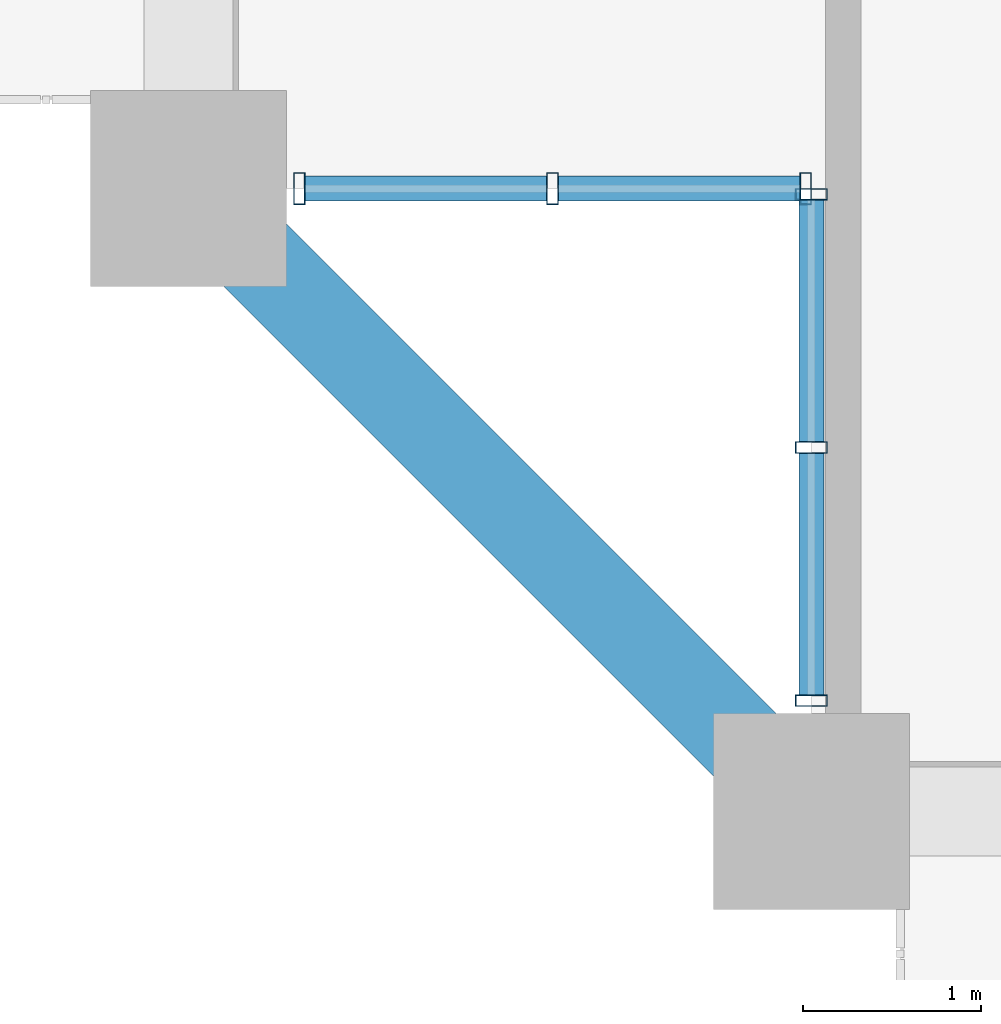
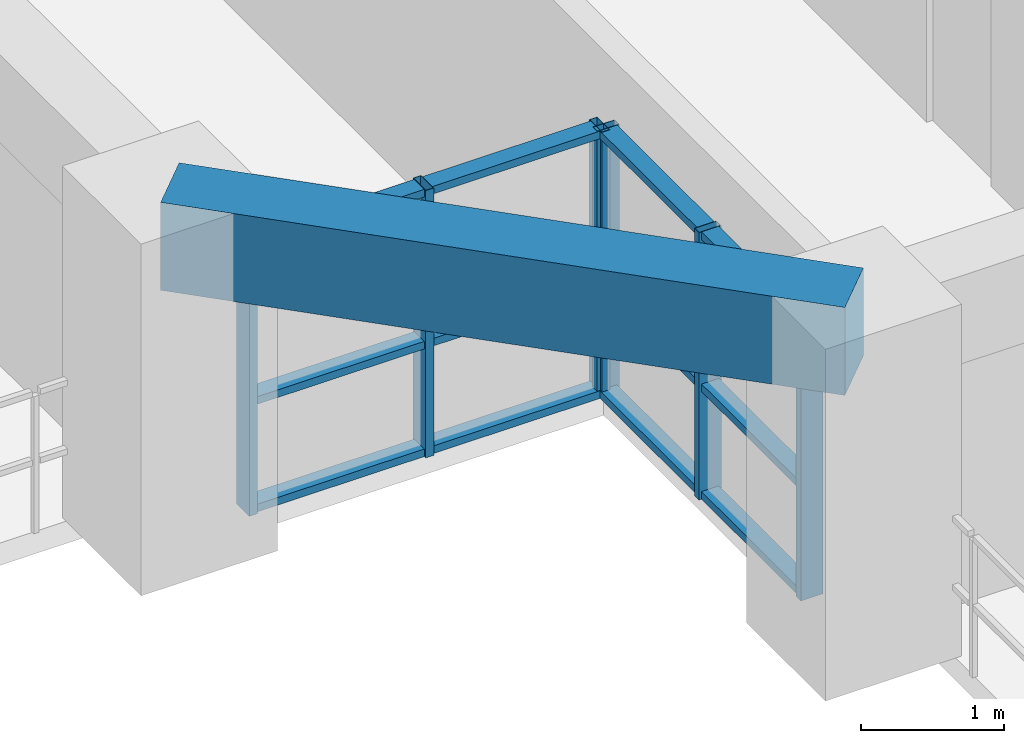
# One storey, part 2 of 28: 18 members, 1 beam, 2 elements without a shape of their own.
"""IFC4 building model written with IfcOpenShell, lengths in metres."""

from ifc_helpers import new_model, si_unit, direction, frame, origin, origin_2d, place, context, subcontext, project, spatial, rectangle, hollow_rectangle, extrude, source, transform, mapped, material, layer, layer_set, material_profile, profile_set, type_object, element, aggregate, save


model = new_model("IFC4")

# Units and contexts
model_context = context("Model", 3, precision=1e-05, world=origin(), true_north=direction((0.0, 1.0)))
body_context = subcontext(model_context, "Body", "Model", "MODEL_VIEW")
ifc_project = project(units=[si_unit("LENGTHUNIT", "METRE"), si_unit("AREAUNIT", "SQUARE_METRE"), si_unit("VOLUMEUNIT", "CUBIC_METRE"), si_unit("PLANEANGLEUNIT", "RADIAN"), si_unit("MASSUNIT", "GRAM", prefix="KILO")], contexts=[model_context])

# Site, building, storey
site_placement = place(None, origin())
site = spatial("IfcSite", under=ifc_project, at=site_placement, CompositionType="ELEMENT")
building_placement = place(site_placement, origin())
building = spatial("IfcBuilding", under=site, at=building_placement, Name="Saelheon Loggia Tower", CompositionType="ELEMENT")
storey_placement = place(building_placement, frame((0.0, 0.0, 61.39990234375)))
storey = spatial("IfcBuildingStorey", under=building, at=storey_placement, Name="L19", CompositionType="ELEMENT", Elevation=61.39990234375)

# Beam
ifc_material_1 = material(Name="Concrete C45/55", Category="concrete")
ifc_material_profile_1 = material_profile(ifc_material_1, rectangle(XDim=0.5, YDim=0.75, at=origin_2d()), Name="RC-500x750")
ifc_profile_set_1 = profile_set([ifc_material_profile_1], Name="Concrete C45/55")
beam_type = type_object("IfcBeamType", Name="Beam_PerimGirder_RC500x750", PredefinedType="BEAM", material=ifc_profile_set_1)
shared_shape_1 = source(origin(), body_context, "Body", "SweptSolid", [
    extrude(rectangle(XDim=0.5, YDim=0.75, at=origin_2d()), origin(), (0.0, 0.0, 1.0), 4.94970703125),
])
beam_placement = place(storey_placement, frame((12.0, 6.5, 2.625), z_axis=(0.707106781187, -0.707106781187, 0.0), x_axis=(0.707106781187, 0.707106781187, 0.0)))
element("IfcBeam", 1, at=beam_placement, inside=storey, type_object=beam_type, Name="L19 Perimeter Frame Girder 16", PredefinedType="BEAM", context=body_context, shape_type="MappedRepresentation", body=[
    mapped(shared_shape_1, transform((0.0, 0.0, 0.0), scale=1.0)),
])

# Curtain wall, members
ifc_material_2 = material(Name="Thermal-Break Aluminium and Triple Low-E Glass", Category="aluminium")
ifc_layer = layer(ifc_material_2, 0.159912109375)
ifc_layer_set = layer_set([ifc_layer], Name="Thermal-Break Aluminium and Triple Low-E Glass")
curtain_wall_type = type_object("IfcCurtainWallType", Name="CW_TowerLoggiaLow", PredefinedType="NOTDEFINED", material=ifc_layer_set)
curtain_wall_1_placement = place(storey_placement, origin())
curtain_wall_1 = element("IfcCurtainWall", 2, at=curtain_wall_1_placement, inside=storey, type_object=curtain_wall_type, Name="L19 Corner Notch Glazing SW1", PredefinedType="NOTDEFINED")
ifc_material_3 = material(Name="Anodised Aluminium 6063-T6", Category="aluminium")
ifc_material_profile_2 = material_profile(ifc_material_3, hollow_rectangle(XDim=0.06494140625, YDim=0.179931640625, WallThickness=0.00390625, at=origin_2d()), Name="RHS-180x65x4")
ifc_profile_set_2 = profile_set([ifc_material_profile_2], Name="Anodised Aluminium 6063-T6")
member_type_1 = type_object("IfcMemberType", Name="CW_TowerLoggiaLow_Mullion", PredefinedType="MULLION", material=ifc_profile_set_2)
shared_shape_2 = source(origin(), body_context, "Body", "SweptSolid", [
    extrude(hollow_rectangle(XDim=0.06494140625, YDim=0.179931640625, WallThickness=0.00390625, at=origin_2d()), origin(), (0.0, 0.0, 1.0), 2.280029296875),
])
member_1_placement = place(storey_placement, frame((15.5, 3.62255859375, 0.0), z_axis=(0.0, 0.0, 1.0), x_axis=(0.0, 1.0, 0.0)))
member_1 = element("IfcMember", 3, at=member_1_placement, type_object=member_type_1, Name="CW3 mullion 1", PredefinedType="MULLION", context=body_context, shape_type="MappedRepresentation", body=[
    mapped(shared_shape_2, transform((0.0, 0.0, 0.0), scale=1.0)),
])
member_2_placement = place(storey_placement, frame((15.5, 5.044921875, 0.0), z_axis=(0.0, 0.0, 1.0), x_axis=(0.0, 1.0, 0.0)))
member_2 = element("IfcMember", 4, at=member_2_placement, type_object=member_type_1, Name="CW3 mullion 2", PredefinedType="MULLION", context=body_context, shape_type="MappedRepresentation", body=[
    mapped(shared_shape_2, transform((0.0, 0.0, 0.0), scale=1.0)),
])
member_3_placement = place(storey_placement, frame((15.5, 6.467529296875, 0.0), z_axis=(0.0, 0.0, 1.0), x_axis=(0.0, 1.0, 0.0)))
member_3 = element("IfcMember", 5, at=member_3_placement, type_object=member_type_1, Name="CW3 mullion 3", PredefinedType="MULLION", context=body_context, shape_type="MappedRepresentation", body=[
    mapped(shared_shape_2, transform((0.0, 0.0, 0.0), scale=1.0)),
])

curtain_wall_2_placement = place(storey_placement, origin())
curtain_wall_2 = element("IfcCurtainWall", 6, at=curtain_wall_2_placement, inside=storey, type_object=curtain_wall_type, Name="L19 Corner Notch Glazing SW2", PredefinedType="NOTDEFINED")
member_4_placement = place(storey_placement, frame((12.62255859375, 6.5, 0.0), z_axis=(0.0, 0.0, 1.0), x_axis=(1.0, 0.0, 0.0)))
member_4 = element("IfcMember", 7, at=member_4_placement, type_object=member_type_1, Name="CW3 mullion 1", PredefinedType="MULLION", context=body_context, shape_type="MappedRepresentation", body=[
    mapped(shared_shape_2, transform((0.0, 0.0, 0.0), scale=1.0)),
])
member_5_placement = place(storey_placement, frame((14.044921875, 6.5, 0.0), z_axis=(0.0, 0.0, 1.0), x_axis=(1.0, 0.0, 0.0)))
member_5 = element("IfcMember", 8, at=member_5_placement, type_object=member_type_1, Name="CW3 mullion 2", PredefinedType="MULLION", context=body_context, shape_type="MappedRepresentation", body=[
    mapped(shared_shape_2, transform((0.0, 0.0, 0.0), scale=1.0)),
])
member_6_placement = place(storey_placement, frame((15.467529296875, 6.5, 0.0), z_axis=(0.0, 0.0, 1.0), x_axis=(1.0, 0.0, 0.0)))
member_6 = element("IfcMember", 9, at=member_6_placement, type_object=member_type_1, Name="CW3 mullion 3", PredefinedType="MULLION", context=body_context, shape_type="MappedRepresentation", body=[
    mapped(shared_shape_2, transform((0.0, 0.0, 0.0), scale=1.0)),
])

# Member
ifc_material_profile_3 = material_profile(ifc_material_3, hollow_rectangle(XDim=0.06494140625, YDim=0.139892578125, WallThickness=0.00390625, at=origin_2d()), Name="RHS-140x65x4")
ifc_profile_set_3 = profile_set([ifc_material_profile_3], Name="Anodised Aluminium 6063-T6")
member_type_2 = type_object("IfcMemberType", Name="CW_TowerLoggiaLow_Transom", PredefinedType="USERDEFINED", material=ifc_profile_set_3)
shared_shape_3 = source(origin(), body_context, "Body", "SweptSolid", [
    extrude(hollow_rectangle(XDim=0.06494140625, YDim=0.139892578125, WallThickness=0.00390625, at=origin_2d()), origin(), (0.0, 0.0, 1.0), 1.357421875),
])
member_7_placement = place(storey_placement, frame((15.5, 3.655029296875, 0.03271484375), z_axis=(0.0, 1.0, 0.0), x_axis=(0.0, 0.0, 1.0)))
member_7 = element("IfcMember", 10, at=member_7_placement, type_object=member_type_2, Name="CW3 transom 1.1", ObjectType="TRANSOM", PredefinedType="USERDEFINED", context=body_context, shape_type="MappedRepresentation", body=[
    mapped(shared_shape_3, transform((0.0, 0.0, 0.0), scale=1.0)),
])

member_8_placement = place(storey_placement, frame((15.5, 3.655029296875, 0.9501953125), z_axis=(0.0, 1.0, 0.0), x_axis=(0.0, 0.0, 1.0)))
member_8 = element("IfcMember", 11, at=member_8_placement, type_object=member_type_2, Name="CW3 transom 1.2", ObjectType="TRANSOM", PredefinedType="USERDEFINED", context=body_context, shape_type="MappedRepresentation", body=[
    mapped(shared_shape_3, transform((0.0, 0.0, 0.0), scale=1.0)),
])

member_9_placement = place(storey_placement, frame((15.5, 3.655029296875, 2.24755859375), z_axis=(0.0, 1.0, 0.0), x_axis=(0.0, 0.0, 1.0)))
member_9 = element("IfcMember", 12, at=member_9_placement, type_object=member_type_2, Name="CW3 transom 1.3", ObjectType="TRANSOM", PredefinedType="USERDEFINED", context=body_context, shape_type="MappedRepresentation", body=[
    mapped(shared_shape_3, transform((0.0, 0.0, 0.0), scale=1.0)),
])

member_10_placement = place(storey_placement, frame((12.655029296875, 6.5, 0.03271484375), z_axis=(1.0, 0.0, 0.0), x_axis=(0.0, 0.0, 1.0)))
member_10 = element("IfcMember", 13, at=member_10_placement, type_object=member_type_2, Name="CW3 transom 1.1", ObjectType="TRANSOM", PredefinedType="USERDEFINED", context=body_context, shape_type="MappedRepresentation", body=[
    mapped(shared_shape_3, transform((0.0, 0.0, 0.0), scale=1.0)),
])

member_11_placement = place(storey_placement, frame((12.655029296875, 6.5, 0.9501953125), z_axis=(1.0, 0.0, 0.0), x_axis=(0.0, 0.0, 1.0)))
member_11 = element("IfcMember", 14, at=member_11_placement, type_object=member_type_2, Name="CW3 transom 1.2", ObjectType="TRANSOM", PredefinedType="USERDEFINED", context=body_context, shape_type="MappedRepresentation", body=[
    mapped(shared_shape_3, transform((0.0, 0.0, 0.0), scale=1.0)),
])

member_12_placement = place(storey_placement, frame((12.655029296875, 6.5, 2.24755859375), z_axis=(1.0, 0.0, 0.0), x_axis=(0.0, 0.0, 1.0)))
member_12 = element("IfcMember", 15, at=member_12_placement, type_object=member_type_2, Name="CW3 transom 1.3", ObjectType="TRANSOM", PredefinedType="USERDEFINED", context=body_context, shape_type="MappedRepresentation", body=[
    mapped(shared_shape_3, transform((0.0, 0.0, 0.0), scale=1.0)),
])

shared_shape_4 = source(origin(), body_context, "Body", "SweptSolid", [
    extrude(hollow_rectangle(XDim=0.06494140625, YDim=0.139892578125, WallThickness=0.00390625, at=origin_2d()), origin(), (0.0, 0.0, 1.0), 1.357666015625),
])
member_13_placement = place(storey_placement, frame((15.5, 5.077392578125, 0.03271484375), z_axis=(0.0, 1.0, 0.0), x_axis=(0.0, 0.0, 1.0)))
member_13 = element("IfcMember", 16, at=member_13_placement, type_object=member_type_2, Name="CW3 transom 2.1", ObjectType="TRANSOM", PredefinedType="USERDEFINED", context=body_context, shape_type="MappedRepresentation", body=[
    mapped(shared_shape_4, transform((0.0, 0.0, 0.0), scale=1.0)),
])

member_14_placement = place(storey_placement, frame((15.5, 5.077392578125, 0.9501953125), z_axis=(0.0, 1.0, 0.0), x_axis=(0.0, 0.0, 1.0)))
member_14 = element("IfcMember", 17, at=member_14_placement, type_object=member_type_2, Name="CW3 transom 2.2", ObjectType="TRANSOM", PredefinedType="USERDEFINED", context=body_context, shape_type="MappedRepresentation", body=[
    mapped(shared_shape_4, transform((0.0, 0.0, 0.0), scale=1.0)),
])

member_15_placement = place(storey_placement, frame((15.5, 5.077392578125, 2.24755859375), z_axis=(0.0, 1.0, 0.0), x_axis=(0.0, 0.0, 1.0)))
member_15 = element("IfcMember", 18, at=member_15_placement, type_object=member_type_2, Name="CW3 transom 2.3", ObjectType="TRANSOM", PredefinedType="USERDEFINED", context=body_context, shape_type="MappedRepresentation", body=[
    mapped(shared_shape_4, transform((0.0, 0.0, 0.0), scale=1.0)),
])

aggregate(curtain_wall_1, [member_1, member_2, member_3, member_7, member_8, member_9, member_13, member_14, member_15])

member_16_placement = place(storey_placement, frame((14.077392578125, 6.5, 0.03271484375), z_axis=(1.0, 0.0, 0.0), x_axis=(0.0, 0.0, 1.0)))
member_16 = element("IfcMember", 19, at=member_16_placement, type_object=member_type_2, Name="CW3 transom 2.1", ObjectType="TRANSOM", PredefinedType="USERDEFINED", context=body_context, shape_type="MappedRepresentation", body=[
    mapped(shared_shape_4, transform((0.0, 0.0, 0.0), scale=1.0)),
])

member_17_placement = place(storey_placement, frame((14.077392578125, 6.5, 0.9501953125), z_axis=(1.0, 0.0, 0.0), x_axis=(0.0, 0.0, 1.0)))
member_17 = element("IfcMember", 20, at=member_17_placement, type_object=member_type_2, Name="CW3 transom 2.2", ObjectType="TRANSOM", PredefinedType="USERDEFINED", context=body_context, shape_type="MappedRepresentation", body=[
    mapped(shared_shape_4, transform((0.0, 0.0, 0.0), scale=1.0)),
])

member_18_placement = place(storey_placement, frame((14.077392578125, 6.5, 2.24755859375), z_axis=(1.0, 0.0, 0.0), x_axis=(0.0, 0.0, 1.0)))
member_18 = element("IfcMember", 21, at=member_18_placement, type_object=member_type_2, Name="CW3 transom 2.3", ObjectType="TRANSOM", PredefinedType="USERDEFINED", context=body_context, shape_type="MappedRepresentation", body=[
    mapped(shared_shape_4, transform((0.0, 0.0, 0.0), scale=1.0)),
])

aggregate(curtain_wall_2, [member_4, member_5, member_6, member_10, member_11, member_12, member_16, member_17, member_18])

save(model, "model.ifc")
